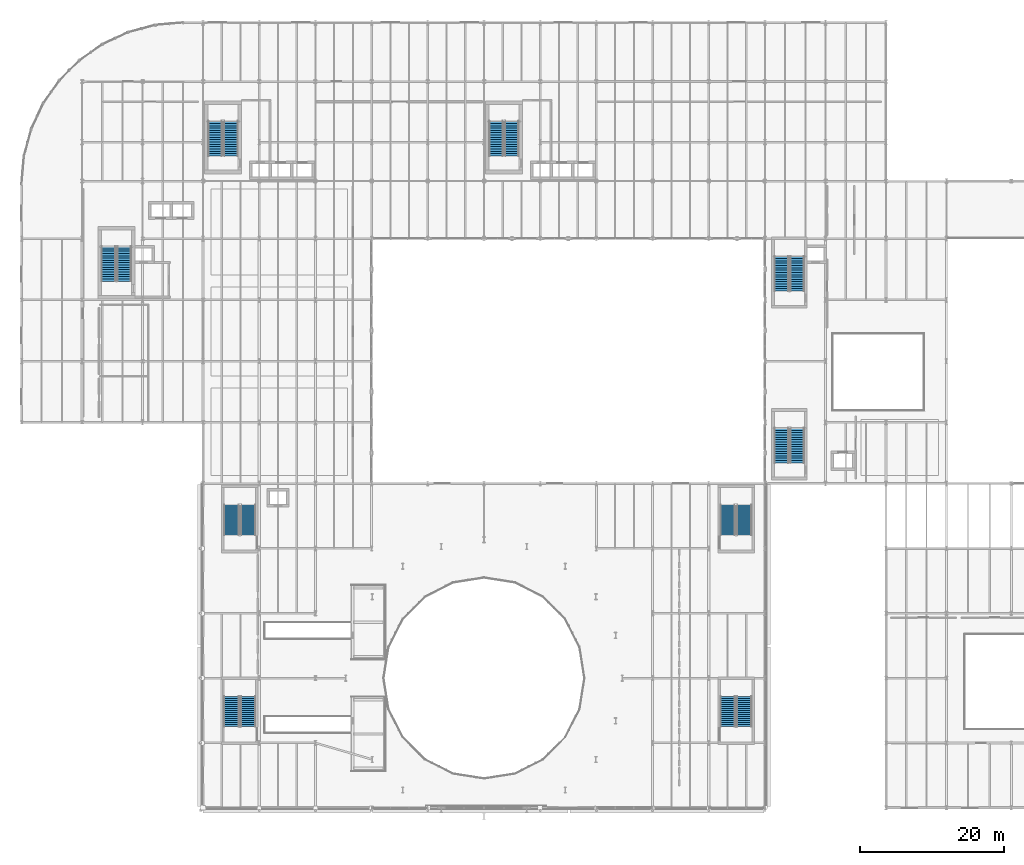
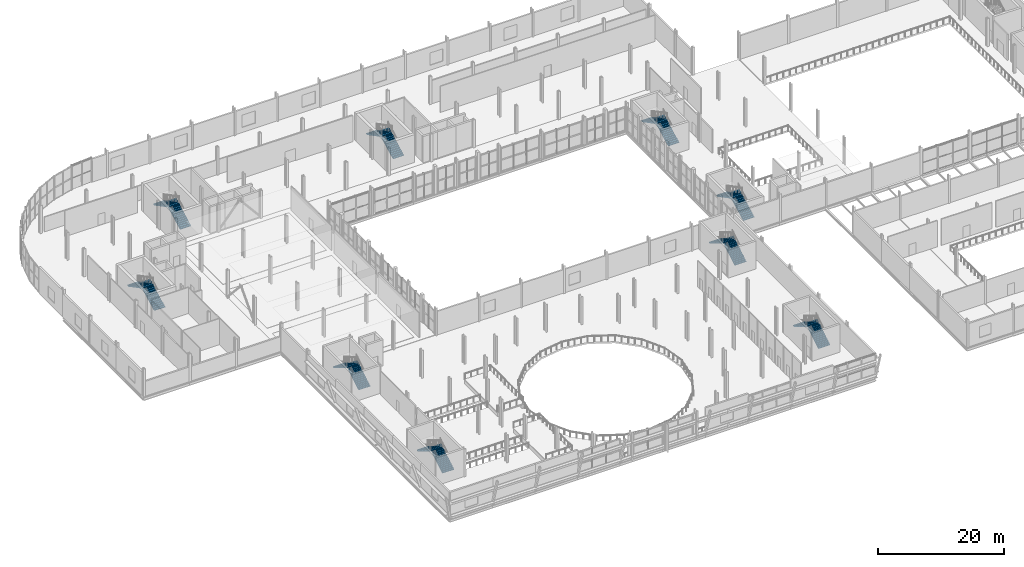
# One storey, part 60 of 78: 18 stair flights, 9 elements without a shape of their own.
"""IFC4 building model written with IfcOpenShell, lengths in metres."""

from ifc_helpers import new_model, si_unit, direction, frame, origin, place, context, subcontext, project, spatial, polyline, outline, extrude, material, type_object, element, aggregate, save


model = new_model("IFC4")

# Units and contexts
model_context = context("Model", 3, precision=1e-05, world=origin(), true_north=direction((0.0, 1.0)))
body_context = subcontext(model_context, "Body", "Model", "MODEL_VIEW")
ifc_project = project(units=[si_unit("LENGTHUNIT", "METRE"), si_unit("AREAUNIT", "SQUARE_METRE"), si_unit("VOLUMEUNIT", "CUBIC_METRE"), si_unit("PLANEANGLEUNIT", "RADIAN"), si_unit("MASSUNIT", "GRAM", prefix="KILO")], contexts=[model_context])

# Site, building, storey
site_placement = place(None, origin())
site = spatial("IfcSite", under=ifc_project, at=site_placement, CompositionType="ELEMENT")
building_placement = place(site_placement, origin())
building = spatial("IfcBuilding", under=site, at=building_placement, Name="Sefraquen Railside Congress Hotel", CompositionType="ELEMENT")
storey_placement = place(building_placement, frame((0.0, 0.0, 6.0)))
storey = spatial("IfcBuildingStorey", under=building, at=storey_placement, Name="L01", CompositionType="ELEMENT", Elevation=6.0)

# Stair, stair flights
ifc_material = material(Name="Concrete C40/50", Category="concrete")
stair_type_1 = type_object("IfcStairType", Name="TST-DOG-198-360", PredefinedType="HALF_TURN_STAIR", material=ifc_material)
stair_1_placement = place(storey_placement, origin())
stair_1 = element("IfcStair", 1, at=stair_1_placement, inside=storey, type_object=stair_type_1, Name="L01 Pressurized escape stair ST-H01", PredefinedType="HALF_TURN_STAIR")
stair_flight_type_1 = type_object("IfcStairFlightType", Name="TSF-FLT-198-360", PredefinedType="STRAIGHT", material=ifc_material)
stair_flight_1_placement = place(storey_placement, frame((14.27001953125, 82.080078125, 0.0), z_axis=(0.0, 0.0, 1.0), x_axis=(0.0, 1.0, 0.0)))
stair_flight_1 = element("IfcStairFlight", 2, at=stair_flight_1_placement, type_object=stair_flight_type_1, Name="ST-H01 flight 1", NumberOfRisers=16, NumberOfTreads=15, PredefinedType="STRAIGHT", RiserHeight=0.16875, TreadLength=0.322, context=body_context, shape_type="SweptSolid", body=[
    extrude(outline(polyline([(0.0, 0.0), (0.0, 0.168701171875), (0.322021484375, 0.168701171875), (0.322021484375, 0.33740234375), (0.64404296875, 0.33740234375), (0.64404296875, 0.50634765625), (0.966064453125, 0.50634765625), (0.966064453125, 0.675048828125), (1.2880859375, 0.675048828125), (1.2880859375, 0.84375), (1.610107421875, 0.84375), (1.610107421875, 1.012451171875), (1.931884765625, 1.012451171875), (1.931884765625, 1.18115234375), (2.25390625, 1.18115234375), (2.25390625, 1.35009765625), (2.575927734375, 1.35009765625), (2.575927734375, 1.518798828125), (2.89794921875, 1.518798828125), (2.89794921875, 1.6875), (3.219970703125, 1.6875), (3.219970703125, 1.856201171875), (3.5419921875, 1.856201171875), (3.5419921875, 2.02490234375), (3.864013671875, 2.02490234375), (3.864013671875, 2.19384765625), (4.18603515625, 2.19384765625), (4.18603515625, 2.362548828125), (4.508056640625, 2.362548828125), (4.508056640625, 2.53125), (4.830078125, 2.53125), (4.830078125, 2.699951171875), (4.830078125, 2.362060546875), (0.322998046875, 0.0), (0.0, 0.0)])), frame((0.0, 0.989990234375, 0.0), z_axis=(0.0, -1.0, 0.0), x_axis=(1.0, 0.0, 0.0)), (0.0, 0.0, 1.0), 1.97998046875),
])
stair_flight_2_placement = place(storey_placement, frame((12.090087890625, 86.909912109375, 2.699951171875), z_axis=(0.0, 0.0, 1.0), x_axis=(0.0, -1.0, 0.0)))
stair_flight_2 = element("IfcStairFlight", 3, at=stair_flight_2_placement, type_object=stair_flight_type_1, Name="ST-H01 flight 2", NumberOfRisers=16, NumberOfTreads=15, PredefinedType="STRAIGHT", RiserHeight=0.16875, TreadLength=0.322, context=body_context, shape_type="SweptSolid", body=[
    extrude(outline(polyline([(0.0, 0.0), (0.0, 0.168701171875), (0.322021484375, 0.168701171875), (0.322021484375, 0.33740234375), (0.64404296875, 0.33740234375), (0.64404296875, 0.50634765625), (0.966064453125, 0.50634765625), (0.966064453125, 0.675048828125), (1.2880859375, 0.675048828125), (1.2880859375, 0.84375), (1.610107421875, 0.84375), (1.610107421875, 1.012451171875), (1.931884765625, 1.012451171875), (1.931884765625, 1.18115234375), (2.25390625, 1.18115234375), (2.25390625, 1.35009765625), (2.575927734375, 1.35009765625), (2.575927734375, 1.518798828125), (2.89794921875, 1.518798828125), (2.89794921875, 1.6875), (3.219970703125, 1.6875), (3.219970703125, 1.856201171875), (3.5419921875, 1.856201171875), (3.5419921875, 2.02490234375), (3.864013671875, 2.02490234375), (3.864013671875, 2.19384765625), (4.18603515625, 2.19384765625), (4.18603515625, 2.362548828125), (4.508056640625, 2.362548828125), (4.508056640625, 2.53125), (4.830078125, 2.53125), (4.830078125, 2.699951171875), (4.830078125, 2.362060546875), (0.322998046875, 0.0), (0.0, 0.0)])), frame((0.0, 0.989990234375, 0.0), z_axis=(0.0, -1.0, 0.0), x_axis=(1.0, 0.0, 0.0)), (0.0, 0.0, 1.0), 1.97998046875),
])
aggregate(stair_1, [stair_flight_1, stair_flight_2])

stair_type_2 = type_object("IfcStairType", Name="TST-DOG-198-420", PredefinedType="HALF_TURN_STAIR", material=ifc_material)
stair_2_placement = place(storey_placement, origin())
stair_2 = element("IfcStair", 4, at=stair_2_placement, inside=storey, type_object=stair_type_2, Name="L01 Pressurized escape stair ST-H02", PredefinedType="HALF_TURN_STAIR")
stair_flight_type_2 = type_object("IfcStairFlightType", Name="TSF-FLT-198-420", PredefinedType="STRAIGHT", material=ifc_material)
stair_flight_3_placement = place(storey_placement, frame((29.070068359375, 99.47998046875, 0.0), z_axis=(0.0, 0.0, 1.0), x_axis=(0.0, 1.0, 0.0)))
stair_flight_3 = element("IfcStairFlight", 5, at=stair_flight_3_placement, type_object=stair_flight_type_2, Name="ST-H02 flight 1", NumberOfRisers=16, NumberOfTreads=15, PredefinedType="STRAIGHT", RiserHeight=0.16875, TreadLength=0.322, context=body_context, shape_type="SweptSolid", body=[
    extrude(outline(polyline([(0.0, 0.0), (0.0, 0.168701171875), (0.322021484375, 0.168701171875), (0.322021484375, 0.33740234375), (0.64404296875, 0.33740234375), (0.64404296875, 0.50634765625), (0.966064453125, 0.50634765625), (0.966064453125, 0.675048828125), (1.2880859375, 0.675048828125), (1.2880859375, 0.84375), (1.610107421875, 0.84375), (1.610107421875, 1.012451171875), (1.931884765625, 1.012451171875), (1.931884765625, 1.18115234375), (2.25390625, 1.18115234375), (2.25390625, 1.35009765625), (2.575927734375, 1.35009765625), (2.575927734375, 1.518798828125), (2.89794921875, 1.518798828125), (2.89794921875, 1.6875), (3.219970703125, 1.6875), (3.219970703125, 1.856201171875), (3.5419921875, 1.856201171875), (3.5419921875, 2.02490234375), (3.864013671875, 2.02490234375), (3.864013671875, 2.19384765625), (4.18603515625, 2.19384765625), (4.18603515625, 2.362548828125), (4.508056640625, 2.362548828125), (4.508056640625, 2.53125), (4.830078125, 2.53125), (4.830078125, 2.699951171875), (4.830078125, 2.362060546875), (0.322998046875, 0.0), (0.0, 0.0)])), frame((0.0, 0.989990234375, 0.0), z_axis=(0.0, -1.0, 0.0), x_axis=(1.0, 0.0, 0.0)), (0.0, 0.0, 1.0), 1.97998046875),
])
stair_flight_4_placement = place(storey_placement, frame((26.889892578125, 104.31005859375, 2.699951171875), z_axis=(0.0, 0.0, 1.0), x_axis=(0.0, -1.0, 0.0)))
stair_flight_4 = element("IfcStairFlight", 6, at=stair_flight_4_placement, type_object=stair_flight_type_2, Name="ST-H02 flight 2", NumberOfRisers=16, NumberOfTreads=15, PredefinedType="STRAIGHT", RiserHeight=0.16875, TreadLength=0.322, context=body_context, shape_type="SweptSolid", body=[
    extrude(outline(polyline([(0.0, 0.0), (0.0, 0.168701171875), (0.322021484375, 0.168701171875), (0.322021484375, 0.33740234375), (0.64404296875, 0.33740234375), (0.64404296875, 0.50634765625), (0.966064453125, 0.50634765625), (0.966064453125, 0.675048828125), (1.2880859375, 0.675048828125), (1.2880859375, 0.84375), (1.610107421875, 0.84375), (1.610107421875, 1.012451171875), (1.931884765625, 1.012451171875), (1.931884765625, 1.18115234375), (2.25390625, 1.18115234375), (2.25390625, 1.35009765625), (2.575927734375, 1.35009765625), (2.575927734375, 1.518798828125), (2.89794921875, 1.518798828125), (2.89794921875, 1.6875), (3.219970703125, 1.6875), (3.219970703125, 1.856201171875), (3.5419921875, 1.856201171875), (3.5419921875, 2.02490234375), (3.864013671875, 2.02490234375), (3.864013671875, 2.19384765625), (4.18603515625, 2.19384765625), (4.18603515625, 2.362548828125), (4.508056640625, 2.362548828125), (4.508056640625, 2.53125), (4.830078125, 2.53125), (4.830078125, 2.699951171875), (4.830078125, 2.362060546875), (0.322998046875, 0.0), (0.0, 0.0)])), frame((0.0, 0.989990234375, 0.0), z_axis=(0.0, -1.0, 0.0), x_axis=(1.0, 0.0, 0.0)), (0.0, 0.0, 1.0), 1.97998046875),
])
aggregate(stair_2, [stair_flight_3, stair_flight_4])

stair_type_3 = type_object("IfcStairType", Name="TST-DOG-198-450", PredefinedType="HALF_TURN_STAIR", material=ifc_material)
stair_3_placement = place(storey_placement, origin())
stair_3 = element("IfcStair", 7, at=stair_3_placement, inside=storey, type_object=stair_type_3, Name="L01 Pressurized escape stair ST-H03", PredefinedType="HALF_TURN_STAIR")
stair_flight_type_3 = type_object("IfcStairFlightType", Name="TSF-FLT-198-450", PredefinedType="STRAIGHT", material=ifc_material)
stair_flight_5_placement = place(storey_placement, frame((68.070068359375, 99.47998046875, 0.0), z_axis=(0.0, 0.0, 1.0), x_axis=(0.0, 1.0, 0.0)))
stair_flight_5 = element("IfcStairFlight", 8, at=stair_flight_5_placement, type_object=stair_flight_type_3, Name="ST-H03 flight 1", NumberOfRisers=16, NumberOfTreads=15, PredefinedType="STRAIGHT", RiserHeight=0.16875, TreadLength=0.322, context=body_context, shape_type="SweptSolid", body=[
    extrude(outline(polyline([(0.0, 0.0), (0.0, 0.168701171875), (0.322021484375, 0.168701171875), (0.322021484375, 0.33740234375), (0.64404296875, 0.33740234375), (0.64404296875, 0.50634765625), (0.966064453125, 0.50634765625), (0.966064453125, 0.675048828125), (1.2880859375, 0.675048828125), (1.2880859375, 0.84375), (1.610107421875, 0.84375), (1.610107421875, 1.012451171875), (1.931884765625, 1.012451171875), (1.931884765625, 1.18115234375), (2.25390625, 1.18115234375), (2.25390625, 1.35009765625), (2.575927734375, 1.35009765625), (2.575927734375, 1.518798828125), (2.89794921875, 1.518798828125), (2.89794921875, 1.6875), (3.219970703125, 1.6875), (3.219970703125, 1.856201171875), (3.5419921875, 1.856201171875), (3.5419921875, 2.02490234375), (3.864013671875, 2.02490234375), (3.864013671875, 2.19384765625), (4.18603515625, 2.19384765625), (4.18603515625, 2.362548828125), (4.508056640625, 2.362548828125), (4.508056640625, 2.53125), (4.830078125, 2.53125), (4.830078125, 2.699951171875), (4.830078125, 2.362060546875), (0.322998046875, 0.0), (0.0, 0.0)])), frame((0.0, 0.989990234375, 0.0), z_axis=(0.0, -1.0, 0.0), x_axis=(1.0, 0.0, 0.0)), (0.0, 0.0, 1.0), 1.97998046875),
])
stair_flight_6_placement = place(storey_placement, frame((65.889892578125, 104.31005859375, 2.699951171875), z_axis=(0.0, 0.0, 1.0), x_axis=(0.0, -1.0, 0.0)))
stair_flight_6 = element("IfcStairFlight", 9, at=stair_flight_6_placement, type_object=stair_flight_type_3, Name="ST-H03 flight 2", NumberOfRisers=16, NumberOfTreads=15, PredefinedType="STRAIGHT", RiserHeight=0.16875, TreadLength=0.322, context=body_context, shape_type="SweptSolid", body=[
    extrude(outline(polyline([(0.0, 0.0), (0.0, 0.168701171875), (0.322021484375, 0.168701171875), (0.322021484375, 0.33740234375), (0.64404296875, 0.33740234375), (0.64404296875, 0.50634765625), (0.966064453125, 0.50634765625), (0.966064453125, 0.675048828125), (1.2880859375, 0.675048828125), (1.2880859375, 0.84375), (1.610107421875, 0.84375), (1.610107421875, 1.012451171875), (1.931884765625, 1.012451171875), (1.931884765625, 1.18115234375), (2.25390625, 1.18115234375), (2.25390625, 1.35009765625), (2.575927734375, 1.35009765625), (2.575927734375, 1.518798828125), (2.89794921875, 1.518798828125), (2.89794921875, 1.6875), (3.219970703125, 1.6875), (3.219970703125, 1.856201171875), (3.5419921875, 1.856201171875), (3.5419921875, 2.02490234375), (3.864013671875, 2.02490234375), (3.864013671875, 2.19384765625), (4.18603515625, 2.19384765625), (4.18603515625, 2.362548828125), (4.508056640625, 2.362548828125), (4.508056640625, 2.53125), (4.830078125, 2.53125), (4.830078125, 2.699951171875), (4.830078125, 2.362060546875), (0.322998046875, 0.0), (0.0, 0.0)])), frame((0.0, 0.989990234375, 0.0), z_axis=(0.0, -1.0, 0.0), x_axis=(1.0, 0.0, 0.0)), (0.0, 0.0, 1.0), 1.97998046875),
])
aggregate(stair_3, [stair_flight_5, stair_flight_6])

stair_type_4 = type_object("IfcStairType", Name="TST-DOG-198-480", PredefinedType="HALF_TURN_STAIR", material=ifc_material)
stair_4_placement = place(storey_placement, origin())
stair_4 = element("IfcStair", 10, at=stair_4_placement, inside=storey, type_object=stair_type_4, Name="L01 Pressurized escape stair ST-M01", PredefinedType="HALF_TURN_STAIR")
stair_flight_type_4 = type_object("IfcStairFlightType", Name="TSF-FLT-198-480", PredefinedType="STRAIGHT", material=ifc_material)
stair_flight_7_placement = place(storey_placement, frame((107.669921875, 80.72998046875, 0.0), z_axis=(0.0, 0.0, 1.0), x_axis=(0.0, 1.0, 0.0)))
stair_flight_7 = element("IfcStairFlight", 11, at=stair_flight_7_placement, type_object=stair_flight_type_4, Name="ST-M01 flight 1", NumberOfRisers=16, NumberOfTreads=15, PredefinedType="STRAIGHT", RiserHeight=0.16875, TreadLength=0.322, context=body_context, shape_type="SweptSolid", body=[
    extrude(outline(polyline([(0.0, 0.0), (0.0, 0.168701171875), (0.322021484375, 0.168701171875), (0.322021484375, 0.33740234375), (0.64404296875, 0.33740234375), (0.64404296875, 0.50634765625), (0.966064453125, 0.50634765625), (0.966064453125, 0.675048828125), (1.2880859375, 0.675048828125), (1.2880859375, 0.84375), (1.610107421875, 0.84375), (1.610107421875, 1.012451171875), (1.931884765625, 1.012451171875), (1.931884765625, 1.18115234375), (2.25390625, 1.18115234375), (2.25390625, 1.35009765625), (2.575927734375, 1.35009765625), (2.575927734375, 1.518798828125), (2.89794921875, 1.518798828125), (2.89794921875, 1.6875), (3.219970703125, 1.6875), (3.219970703125, 1.856201171875), (3.5419921875, 1.856201171875), (3.5419921875, 2.02490234375), (3.864013671875, 2.02490234375), (3.864013671875, 2.19384765625), (4.18603515625, 2.19384765625), (4.18603515625, 2.362548828125), (4.508056640625, 2.362548828125), (4.508056640625, 2.53125), (4.830078125, 2.53125), (4.830078125, 2.699951171875), (4.830078125, 2.362060546875), (0.322998046875, 0.0), (0.0, 0.0)])), frame((0.0, 0.989990234375, 0.0), z_axis=(0.0, -1.0, 0.0), x_axis=(1.0, 0.0, 0.0)), (0.0, 0.0, 1.0), 1.97998046875),
])
stair_flight_8_placement = place(storey_placement, frame((105.489990234375, 85.56005859375, 2.699951171875), z_axis=(0.0, 0.0, 1.0), x_axis=(0.0, -1.0, 0.0)))
stair_flight_8 = element("IfcStairFlight", 12, at=stair_flight_8_placement, type_object=stair_flight_type_4, Name="ST-M01 flight 2", NumberOfRisers=16, NumberOfTreads=15, PredefinedType="STRAIGHT", RiserHeight=0.16875, TreadLength=0.322, context=body_context, shape_type="SweptSolid", body=[
    extrude(outline(polyline([(0.0, 0.0), (0.0, 0.168701171875), (0.322021484375, 0.168701171875), (0.322021484375, 0.33740234375), (0.64404296875, 0.33740234375), (0.64404296875, 0.50634765625), (0.966064453125, 0.50634765625), (0.966064453125, 0.675048828125), (1.2880859375, 0.675048828125), (1.2880859375, 0.84375), (1.610107421875, 0.84375), (1.610107421875, 1.012451171875), (1.931884765625, 1.012451171875), (1.931884765625, 1.18115234375), (2.25390625, 1.18115234375), (2.25390625, 1.35009765625), (2.575927734375, 1.35009765625), (2.575927734375, 1.518798828125), (2.89794921875, 1.518798828125), (2.89794921875, 1.6875), (3.219970703125, 1.6875), (3.219970703125, 1.856201171875), (3.5419921875, 1.856201171875), (3.5419921875, 2.02490234375), (3.864013671875, 2.02490234375), (3.864013671875, 2.19384765625), (4.18603515625, 2.19384765625), (4.18603515625, 2.362548828125), (4.508056640625, 2.362548828125), (4.508056640625, 2.53125), (4.830078125, 2.53125), (4.830078125, 2.699951171875), (4.830078125, 2.362060546875), (0.322998046875, 0.0), (0.0, 0.0)])), frame((0.0, 0.989990234375, 0.0), z_axis=(0.0, -1.0, 0.0), x_axis=(1.0, 0.0, 0.0)), (0.0, 0.0, 1.0), 1.97998046875),
])
aggregate(stair_4, [stair_flight_7, stair_flight_8])

stair_type_5 = type_object("IfcStairType", Name="TST-DOG-198-540", PredefinedType="HALF_TURN_STAIR", material=ifc_material)
stair_5_placement = place(storey_placement, origin())
stair_5 = element("IfcStair", 13, at=stair_5_placement, inside=storey, type_object=stair_type_5, Name="L01 Pressurized escape stair ST-M02", PredefinedType="HALF_TURN_STAIR")
stair_flight_type_5 = type_object("IfcStairFlightType", Name="TSF-FLT-198-540", PredefinedType="STRAIGHT", material=ifc_material)
stair_flight_9_placement = place(storey_placement, frame((107.669921875, 56.8798828125, 0.0), z_axis=(0.0, 0.0, 1.0), x_axis=(0.0, 1.0, 0.0)))
stair_flight_9 = element("IfcStairFlight", 14, at=stair_flight_9_placement, type_object=stair_flight_type_5, Name="ST-M02 flight 1", NumberOfRisers=16, NumberOfTreads=15, PredefinedType="STRAIGHT", RiserHeight=0.16875, TreadLength=0.322, context=body_context, shape_type="SweptSolid", body=[
    extrude(outline(polyline([(0.0, 0.0), (0.0, 0.168701171875), (0.322021484375, 0.168701171875), (0.322021484375, 0.33740234375), (0.64404296875, 0.33740234375), (0.64404296875, 0.50634765625), (0.966064453125, 0.50634765625), (0.966064453125, 0.675048828125), (1.2880859375, 0.675048828125), (1.2880859375, 0.84375), (1.610107421875, 0.84375), (1.610107421875, 1.012451171875), (1.931884765625, 1.012451171875), (1.931884765625, 1.18115234375), (2.25390625, 1.18115234375), (2.25390625, 1.35009765625), (2.575927734375, 1.35009765625), (2.575927734375, 1.518798828125), (2.89794921875, 1.518798828125), (2.89794921875, 1.6875), (3.219970703125, 1.6875), (3.219970703125, 1.856201171875), (3.5419921875, 1.856201171875), (3.5419921875, 2.02490234375), (3.864013671875, 2.02490234375), (3.864013671875, 2.19384765625), (4.18603515625, 2.19384765625), (4.18603515625, 2.362548828125), (4.508056640625, 2.362548828125), (4.508056640625, 2.53125), (4.830078125, 2.53125), (4.830078125, 2.699951171875), (4.830078125, 2.362060546875), (0.322998046875, 0.0), (0.0, 0.0)])), frame((0.0, 0.989990234375, 0.0), z_axis=(0.0, -1.0, 0.0), x_axis=(1.0, 0.0, 0.0)), (0.0, 0.0, 1.0), 1.97998046875),
])
stair_flight_10_placement = place(storey_placement, frame((105.489990234375, 61.7099609375, 2.699951171875), z_axis=(0.0, 0.0, 1.0), x_axis=(0.0, -1.0, 0.0)))
stair_flight_10 = element("IfcStairFlight", 15, at=stair_flight_10_placement, type_object=stair_flight_type_5, Name="ST-M02 flight 2", NumberOfRisers=16, NumberOfTreads=15, PredefinedType="STRAIGHT", RiserHeight=0.16875, TreadLength=0.322, context=body_context, shape_type="SweptSolid", body=[
    extrude(outline(polyline([(0.0, 0.0), (0.0, 0.168701171875), (0.322021484375, 0.168701171875), (0.322021484375, 0.33740234375), (0.64404296875, 0.33740234375), (0.64404296875, 0.50634765625), (0.966064453125, 0.50634765625), (0.966064453125, 0.675048828125), (1.2880859375, 0.675048828125), (1.2880859375, 0.84375), (1.610107421875, 0.84375), (1.610107421875, 1.012451171875), (1.931884765625, 1.012451171875), (1.931884765625, 1.18115234375), (2.25390625, 1.18115234375), (2.25390625, 1.35009765625), (2.575927734375, 1.35009765625), (2.575927734375, 1.518798828125), (2.89794921875, 1.518798828125), (2.89794921875, 1.6875), (3.219970703125, 1.6875), (3.219970703125, 1.856201171875), (3.5419921875, 1.856201171875), (3.5419921875, 2.02490234375), (3.864013671875, 2.02490234375), (3.864013671875, 2.19384765625), (4.18603515625, 2.19384765625), (4.18603515625, 2.362548828125), (4.508056640625, 2.362548828125), (4.508056640625, 2.53125), (4.830078125, 2.53125), (4.830078125, 2.699951171875), (4.830078125, 2.362060546875), (0.322998046875, 0.0), (0.0, 0.0)])), frame((0.0, 0.989990234375, 0.0), z_axis=(0.0, -1.0, 0.0), x_axis=(1.0, 0.0, 0.0)), (0.0, 0.0, 1.0), 1.97998046875),
])
aggregate(stair_5, [stair_flight_9, stair_flight_10])

stair_type_6 = type_object("IfcStairType", Name="TST-DOG-210-450", PredefinedType="HALF_TURN_STAIR", material=ifc_material)
stair_6_placement = place(storey_placement, origin())
stair_6 = element("IfcStair", 16, at=stair_6_placement, inside=storey, type_object=stair_type_6, Name="L01 Pressurized escape stair ST-C04", PredefinedType="HALF_TURN_STAIR")
stair_flight_type_6 = type_object("IfcStairFlightType", Name="TSF-FLT-210-450", PredefinedType="STRAIGHT", material=ifc_material)
stair_flight_11_placement = place(storey_placement, frame((100.35009765625, 46.85009765625, 0.0), z_axis=(0.0, 0.0, 1.0), x_axis=(0.0, 1.0, 0.0)))
stair_flight_11 = element("IfcStairFlight", 17, at=stair_flight_11_placement, type_object=stair_flight_type_6, Name="ST-C04 flight 1", NumberOfRisers=16, NumberOfTreads=15, PredefinedType="STRAIGHT", RiserHeight=0.16875, TreadLength=0.28, context=body_context, shape_type="SweptSolid", body=[
    extrude(outline(polyline([(0.0, 0.0), (0.0, 0.168701171875), (0.280029296875, 0.168701171875), (0.280029296875, 0.33740234375), (0.56005859375, 0.33740234375), (0.56005859375, 0.50634765625), (0.840087890625, 0.50634765625), (0.840087890625, 0.675048828125), (1.1201171875, 0.675048828125), (1.1201171875, 0.84375), (1.39990234375, 0.84375), (1.39990234375, 1.012451171875), (1.679931640625, 1.012451171875), (1.679931640625, 1.18115234375), (1.9599609375, 1.18115234375), (1.9599609375, 1.35009765625), (2.239990234375, 1.35009765625), (2.239990234375, 1.518798828125), (2.52001953125, 1.518798828125), (2.52001953125, 1.6875), (2.800048828125, 1.6875), (2.800048828125, 1.856201171875), (3.080078125, 1.856201171875), (3.080078125, 2.02490234375), (3.360107421875, 2.02490234375), (3.360107421875, 2.19384765625), (3.639892578125, 2.19384765625), (3.639892578125, 2.362548828125), (3.919921875, 2.362548828125), (3.919921875, 2.53125), (4.199951171875, 2.53125), (4.199951171875, 2.699951171875), (4.199951171875, 2.356201171875), (0.29052734375, 0.0), (0.0, 0.0)])), frame((0.0, 1.050048828125, 0.0), z_axis=(0.0, -1.0, 0.0), x_axis=(1.0, 0.0, 0.0)), (0.0, 0.0, 1.0), 2.10009765625),
])
stair_flight_12_placement = place(storey_placement, frame((98.050048828125, 51.050048828125, 2.699951171875), z_axis=(0.0, 0.0, 1.0), x_axis=(0.0, -1.0, 0.0)))
stair_flight_12 = element("IfcStairFlight", 18, at=stair_flight_12_placement, type_object=stair_flight_type_6, Name="ST-C04 flight 2", NumberOfRisers=16, NumberOfTreads=15, PredefinedType="STRAIGHT", RiserHeight=0.16875, TreadLength=0.28, context=body_context, shape_type="SweptSolid", body=[
    extrude(outline(polyline([(0.0, 0.0), (0.0, 0.168701171875), (0.280029296875, 0.168701171875), (0.280029296875, 0.33740234375), (0.56005859375, 0.33740234375), (0.56005859375, 0.50634765625), (0.840087890625, 0.50634765625), (0.840087890625, 0.675048828125), (1.1201171875, 0.675048828125), (1.1201171875, 0.84375), (1.39990234375, 0.84375), (1.39990234375, 1.012451171875), (1.679931640625, 1.012451171875), (1.679931640625, 1.18115234375), (1.9599609375, 1.18115234375), (1.9599609375, 1.35009765625), (2.239990234375, 1.35009765625), (2.239990234375, 1.518798828125), (2.52001953125, 1.518798828125), (2.52001953125, 1.6875), (2.800048828125, 1.6875), (2.800048828125, 1.856201171875), (3.080078125, 1.856201171875), (3.080078125, 2.02490234375), (3.360107421875, 2.02490234375), (3.360107421875, 2.19384765625), (3.639892578125, 2.19384765625), (3.639892578125, 2.362548828125), (3.919921875, 2.362548828125), (3.919921875, 2.53125), (4.199951171875, 2.53125), (4.199951171875, 2.699951171875), (4.199951171875, 2.356201171875), (0.29052734375, 0.0), (0.0, 0.0)])), frame((0.0, 1.050048828125, 0.0), z_axis=(0.0, -1.0, 0.0), x_axis=(1.0, 0.0, 0.0)), (0.0, 0.0, 1.0), 2.10009765625),
])
aggregate(stair_6, [stair_flight_11, stair_flight_12])

stair_type_7 = type_object("IfcStairType", Name="TST-DOG-210-480", PredefinedType="HALF_TURN_STAIR", material=ifc_material)
stair_7_placement = place(storey_placement, origin())
stair_7 = element("IfcStair", 19, at=stair_7_placement, inside=storey, type_object=stair_type_7, Name="L01 Pressurized escape stair ST-C03", PredefinedType="HALF_TURN_STAIR")
stair_flight_type_7 = type_object("IfcStairFlightType", Name="TSF-FLT-210-480", PredefinedType="STRAIGHT", material=ifc_material)
stair_flight_13_placement = place(storey_placement, frame((100.35009765625, 20.260009765625, 0.0), z_axis=(0.0, 0.0, 1.0), x_axis=(0.0, 1.0, 0.0)))
stair_flight_13 = element("IfcStairFlight", 20, at=stair_flight_13_placement, type_object=stair_flight_type_7, Name="ST-C03 flight 1", NumberOfRisers=16, NumberOfTreads=15, PredefinedType="STRAIGHT", RiserHeight=0.16875, TreadLength=0.28, context=body_context, shape_type="SweptSolid", body=[
    extrude(outline(polyline([(0.0, 0.0), (0.0, 0.168701171875), (0.280029296875, 0.168701171875), (0.280029296875, 0.33740234375), (0.56005859375, 0.33740234375), (0.56005859375, 0.50634765625), (0.840087890625, 0.50634765625), (0.840087890625, 0.675048828125), (1.1201171875, 0.675048828125), (1.1201171875, 0.84375), (1.39990234375, 0.84375), (1.39990234375, 1.012451171875), (1.679931640625, 1.012451171875), (1.679931640625, 1.18115234375), (1.9599609375, 1.18115234375), (1.9599609375, 1.35009765625), (2.239990234375, 1.35009765625), (2.239990234375, 1.518798828125), (2.52001953125, 1.518798828125), (2.52001953125, 1.6875), (2.800048828125, 1.6875), (2.800048828125, 1.856201171875), (3.080078125, 1.856201171875), (3.080078125, 2.02490234375), (3.360107421875, 2.02490234375), (3.360107421875, 2.19384765625), (3.639892578125, 2.19384765625), (3.639892578125, 2.362548828125), (3.919921875, 2.362548828125), (3.919921875, 2.53125), (4.199951171875, 2.53125), (4.199951171875, 2.699951171875), (4.199951171875, 2.356201171875), (0.29052734375, 0.0), (0.0, 0.0)])), frame((0.0, 1.050048828125, 0.0), z_axis=(0.0, -1.0, 0.0), x_axis=(1.0, 0.0, 0.0)), (0.0, 0.0, 1.0), 2.10009765625),
])
stair_flight_14_placement = place(storey_placement, frame((98.050048828125, 24.4599609375, 2.699951171875), z_axis=(0.0, 0.0, 1.0), x_axis=(0.0, -1.0, 0.0)))
stair_flight_14 = element("IfcStairFlight", 21, at=stair_flight_14_placement, type_object=stair_flight_type_7, Name="ST-C03 flight 2", NumberOfRisers=16, NumberOfTreads=15, PredefinedType="STRAIGHT", RiserHeight=0.16875, TreadLength=0.28, context=body_context, shape_type="SweptSolid", body=[
    extrude(outline(polyline([(0.0, 0.0), (0.0, 0.168701171875), (0.280029296875, 0.168701171875), (0.280029296875, 0.33740234375), (0.56005859375, 0.33740234375), (0.56005859375, 0.50634765625), (0.840087890625, 0.50634765625), (0.840087890625, 0.675048828125), (1.1201171875, 0.675048828125), (1.1201171875, 0.84375), (1.39990234375, 0.84375), (1.39990234375, 1.012451171875), (1.679931640625, 1.012451171875), (1.679931640625, 1.18115234375), (1.9599609375, 1.18115234375), (1.9599609375, 1.35009765625), (2.239990234375, 1.35009765625), (2.239990234375, 1.518798828125), (2.52001953125, 1.518798828125), (2.52001953125, 1.6875), (2.800048828125, 1.6875), (2.800048828125, 1.856201171875), (3.080078125, 1.856201171875), (3.080078125, 2.02490234375), (3.360107421875, 2.02490234375), (3.360107421875, 2.19384765625), (3.639892578125, 2.19384765625), (3.639892578125, 2.362548828125), (3.919921875, 2.362548828125), (3.919921875, 2.53125), (4.199951171875, 2.53125), (4.199951171875, 2.699951171875), (4.199951171875, 2.356201171875), (0.29052734375, 0.0), (0.0, 0.0)])), frame((0.0, 1.050048828125, 0.0), z_axis=(0.0, -1.0, 0.0), x_axis=(1.0, 0.0, 0.0)), (0.0, 0.0, 1.0), 2.10009765625),
])
aggregate(stair_7, [stair_flight_13, stair_flight_14])

stair_type_8 = type_object("IfcStairType", Name="TST-DOG-210-540", PredefinedType="HALF_TURN_STAIR", material=ifc_material)
stair_8_placement = place(storey_placement, origin())
stair_8 = element("IfcStair", 22, at=stair_8_placement, inside=storey, type_object=stair_type_8, Name="L01 Pressurized escape stair ST-C02", PredefinedType="HALF_TURN_STAIR")
stair_flight_type_8 = type_object("IfcStairFlightType", Name="TSF-FLT-210-540", PredefinedType="STRAIGHT", material=ifc_material)
stair_flight_15_placement = place(storey_placement, frame((31.449951171875, 46.85009765625, 0.0), z_axis=(0.0, 0.0, 1.0), x_axis=(0.0, 1.0, 0.0)))
stair_flight_15 = element("IfcStairFlight", 23, at=stair_flight_15_placement, type_object=stair_flight_type_8, Name="ST-C02 flight 1", NumberOfRisers=16, NumberOfTreads=15, PredefinedType="STRAIGHT", RiserHeight=0.16875, TreadLength=0.28, context=body_context, shape_type="SweptSolid", body=[
    extrude(outline(polyline([(0.0, 0.0), (0.0, 0.168701171875), (0.280029296875, 0.168701171875), (0.280029296875, 0.33740234375), (0.56005859375, 0.33740234375), (0.56005859375, 0.50634765625), (0.840087890625, 0.50634765625), (0.840087890625, 0.675048828125), (1.1201171875, 0.675048828125), (1.1201171875, 0.84375), (1.39990234375, 0.84375), (1.39990234375, 1.012451171875), (1.679931640625, 1.012451171875), (1.679931640625, 1.18115234375), (1.9599609375, 1.18115234375), (1.9599609375, 1.35009765625), (2.239990234375, 1.35009765625), (2.239990234375, 1.518798828125), (2.52001953125, 1.518798828125), (2.52001953125, 1.6875), (2.800048828125, 1.6875), (2.800048828125, 1.856201171875), (3.080078125, 1.856201171875), (3.080078125, 2.02490234375), (3.360107421875, 2.02490234375), (3.360107421875, 2.19384765625), (3.639892578125, 2.19384765625), (3.639892578125, 2.362548828125), (3.919921875, 2.362548828125), (3.919921875, 2.53125), (4.199951171875, 2.53125), (4.199951171875, 2.699951171875), (4.199951171875, 2.356201171875), (0.29052734375, 0.0), (0.0, 0.0)])), frame((0.0, 1.050048828125, 0.0), z_axis=(0.0, -1.0, 0.0), x_axis=(1.0, 0.0, 0.0)), (0.0, 0.0, 1.0), 2.10009765625),
])
stair_flight_16_placement = place(storey_placement, frame((29.14990234375, 51.050048828125, 2.699951171875), z_axis=(0.0, 0.0, 1.0), x_axis=(0.0, -1.0, 0.0)))
stair_flight_16 = element("IfcStairFlight", 24, at=stair_flight_16_placement, type_object=stair_flight_type_8, Name="ST-C02 flight 2", NumberOfRisers=16, NumberOfTreads=15, PredefinedType="STRAIGHT", RiserHeight=0.16875, TreadLength=0.28, context=body_context, shape_type="SweptSolid", body=[
    extrude(outline(polyline([(0.0, 0.0), (0.0, 0.168701171875), (0.280029296875, 0.168701171875), (0.280029296875, 0.33740234375), (0.56005859375, 0.33740234375), (0.56005859375, 0.50634765625), (0.840087890625, 0.50634765625), (0.840087890625, 0.675048828125), (1.1201171875, 0.675048828125), (1.1201171875, 0.84375), (1.39990234375, 0.84375), (1.39990234375, 1.012451171875), (1.679931640625, 1.012451171875), (1.679931640625, 1.18115234375), (1.9599609375, 1.18115234375), (1.9599609375, 1.35009765625), (2.239990234375, 1.35009765625), (2.239990234375, 1.518798828125), (2.52001953125, 1.518798828125), (2.52001953125, 1.6875), (2.800048828125, 1.6875), (2.800048828125, 1.856201171875), (3.080078125, 1.856201171875), (3.080078125, 2.02490234375), (3.360107421875, 2.02490234375), (3.360107421875, 2.19384765625), (3.639892578125, 2.19384765625), (3.639892578125, 2.362548828125), (3.919921875, 2.362548828125), (3.919921875, 2.53125), (4.199951171875, 2.53125), (4.199951171875, 2.699951171875), (4.199951171875, 2.356201171875), (0.29052734375, 0.0), (0.0, 0.0)])), frame((0.0, 1.050048828125, 0.0), z_axis=(0.0, -1.0, 0.0), x_axis=(1.0, 0.0, 0.0)), (0.0, 0.0, 1.0), 2.10009765625),
])
aggregate(stair_8, [stair_flight_15, stair_flight_16])

stair_type_9 = type_object("IfcStairType", Name="TST-DOG-210-600", PredefinedType="HALF_TURN_STAIR", material=ifc_material)
stair_9_placement = place(storey_placement, origin())
stair_9 = element("IfcStair", 25, at=stair_9_placement, inside=storey, type_object=stair_type_9, Name="L01 Pressurized escape stair ST-C01", PredefinedType="HALF_TURN_STAIR")
stair_flight_type_9 = type_object("IfcStairFlightType", Name="TSF-FLT-210-600", PredefinedType="STRAIGHT", material=ifc_material)
stair_flight_17_placement = place(storey_placement, frame((31.449951171875, 20.260009765625, 0.0), z_axis=(0.0, 0.0, 1.0), x_axis=(0.0, 1.0, 0.0)))
stair_flight_17 = element("IfcStairFlight", 26, at=stair_flight_17_placement, type_object=stair_flight_type_9, Name="ST-C01 flight 1", NumberOfRisers=16, NumberOfTreads=15, PredefinedType="STRAIGHT", RiserHeight=0.16875, TreadLength=0.28, context=body_context, shape_type="SweptSolid", body=[
    extrude(outline(polyline([(0.0, 0.0), (0.0, 0.168701171875), (0.280029296875, 0.168701171875), (0.280029296875, 0.33740234375), (0.56005859375, 0.33740234375), (0.56005859375, 0.50634765625), (0.840087890625, 0.50634765625), (0.840087890625, 0.675048828125), (1.1201171875, 0.675048828125), (1.1201171875, 0.84375), (1.39990234375, 0.84375), (1.39990234375, 1.012451171875), (1.679931640625, 1.012451171875), (1.679931640625, 1.18115234375), (1.9599609375, 1.18115234375), (1.9599609375, 1.35009765625), (2.239990234375, 1.35009765625), (2.239990234375, 1.518798828125), (2.52001953125, 1.518798828125), (2.52001953125, 1.6875), (2.800048828125, 1.6875), (2.800048828125, 1.856201171875), (3.080078125, 1.856201171875), (3.080078125, 2.02490234375), (3.360107421875, 2.02490234375), (3.360107421875, 2.19384765625), (3.639892578125, 2.19384765625), (3.639892578125, 2.362548828125), (3.919921875, 2.362548828125), (3.919921875, 2.53125), (4.199951171875, 2.53125), (4.199951171875, 2.699951171875), (4.199951171875, 2.356201171875), (0.29052734375, 0.0), (0.0, 0.0)])), frame((0.0, 1.050048828125, 0.0), z_axis=(0.0, -1.0, 0.0), x_axis=(1.0, 0.0, 0.0)), (0.0, 0.0, 1.0), 2.10009765625),
])
stair_flight_18_placement = place(storey_placement, frame((29.14990234375, 24.4599609375, 2.699951171875), z_axis=(0.0, 0.0, 1.0), x_axis=(0.0, -1.0, 0.0)))
stair_flight_18 = element("IfcStairFlight", 27, at=stair_flight_18_placement, type_object=stair_flight_type_9, Name="ST-C01 flight 2", NumberOfRisers=16, NumberOfTreads=15, PredefinedType="STRAIGHT", RiserHeight=0.16875, TreadLength=0.28, context=body_context, shape_type="SweptSolid", body=[
    extrude(outline(polyline([(0.0, 0.0), (0.0, 0.168701171875), (0.280029296875, 0.168701171875), (0.280029296875, 0.33740234375), (0.56005859375, 0.33740234375), (0.56005859375, 0.50634765625), (0.840087890625, 0.50634765625), (0.840087890625, 0.675048828125), (1.1201171875, 0.675048828125), (1.1201171875, 0.84375), (1.39990234375, 0.84375), (1.39990234375, 1.012451171875), (1.679931640625, 1.012451171875), (1.679931640625, 1.18115234375), (1.9599609375, 1.18115234375), (1.9599609375, 1.35009765625), (2.239990234375, 1.35009765625), (2.239990234375, 1.518798828125), (2.52001953125, 1.518798828125), (2.52001953125, 1.6875), (2.800048828125, 1.6875), (2.800048828125, 1.856201171875), (3.080078125, 1.856201171875), (3.080078125, 2.02490234375), (3.360107421875, 2.02490234375), (3.360107421875, 2.19384765625), (3.639892578125, 2.19384765625), (3.639892578125, 2.362548828125), (3.919921875, 2.362548828125), (3.919921875, 2.53125), (4.199951171875, 2.53125), (4.199951171875, 2.699951171875), (4.199951171875, 2.356201171875), (0.29052734375, 0.0), (0.0, 0.0)])), frame((0.0, 1.050048828125, 0.0), z_axis=(0.0, -1.0, 0.0), x_axis=(1.0, 0.0, 0.0)), (0.0, 0.0, 1.0), 2.10009765625),
])
aggregate(stair_9, [stair_flight_17, stair_flight_18])

save(model, "model.ifc")
